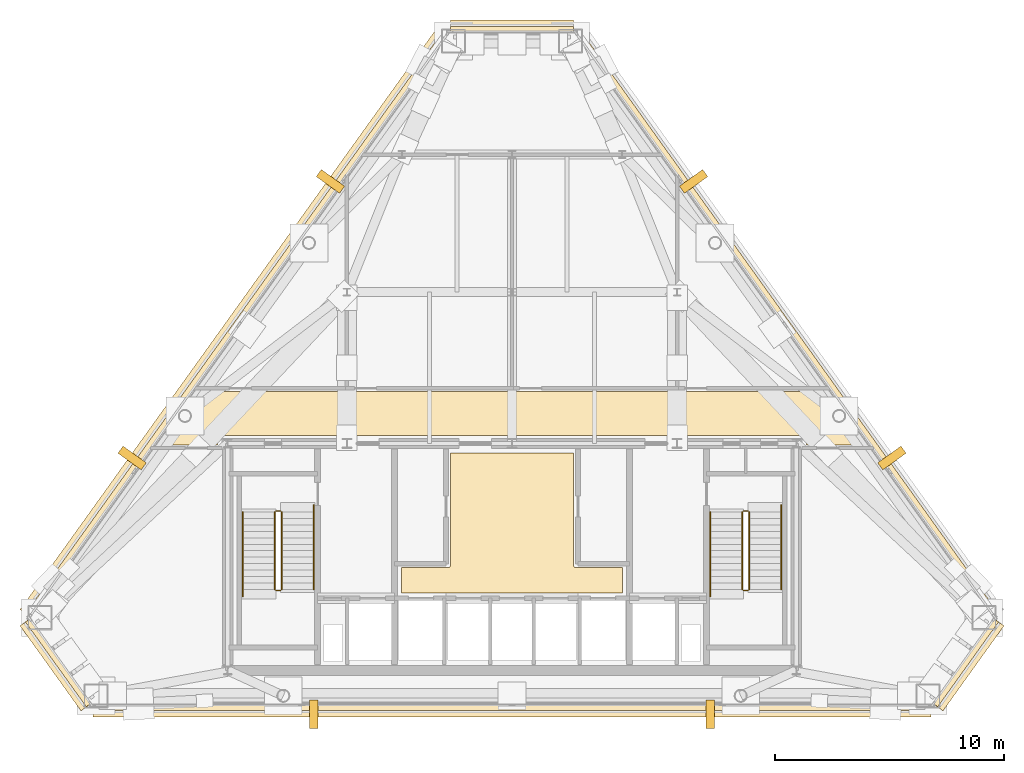
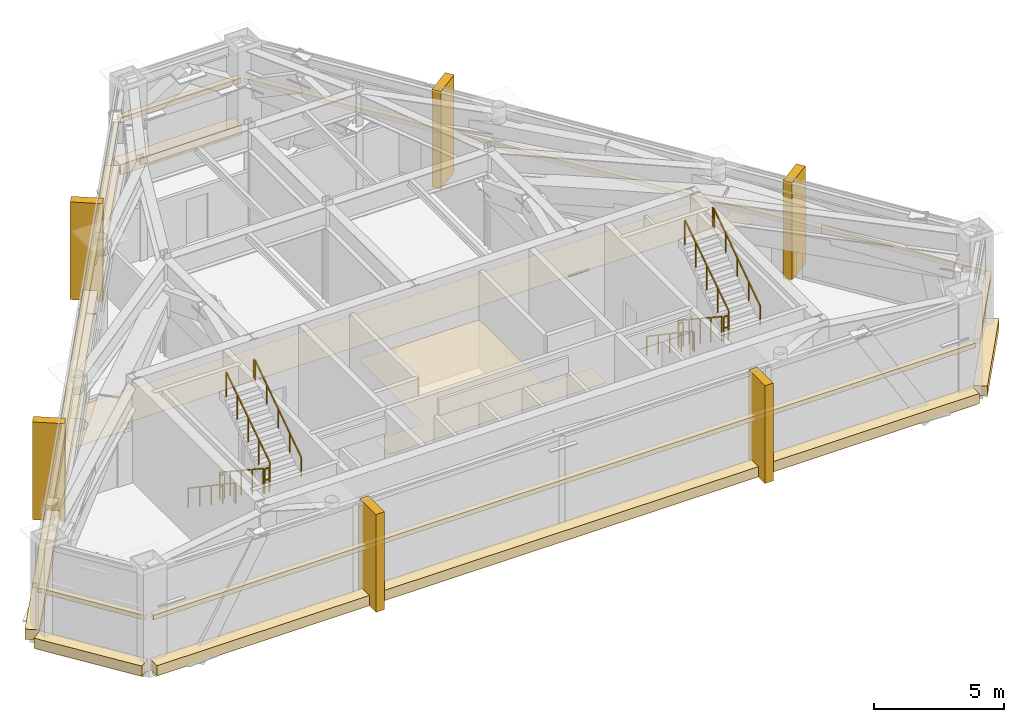
# One storey, part 8 of 9: 19 coverings, 12 railings.
"""IFC4 building model written with IfcOpenShell, lengths in metres."""

from ifc_helpers import new_model, si_unit, direction, frame, origin, origin_2d, place, context, subcontext, project, spatial, polyline, rectangle, outline, extrude, material, layer, layer_set, type_object, element, save


model = new_model("IFC4")

# Units and contexts
model_context = context("Model", 3, precision=1e-05, world=origin(), true_north=direction((0.0, 1.0)))
body_context = subcontext(model_context, "Body", "Model", "MODEL_VIEW")
ifc_project = project(units=[si_unit("LENGTHUNIT", "METRE"), si_unit("AREAUNIT", "SQUARE_METRE"), si_unit("VOLUMEUNIT", "CUBIC_METRE"), si_unit("PLANEANGLEUNIT", "RADIAN"), si_unit("MASSUNIT", "GRAM", prefix="KILO")], contexts=[model_context])

# Site, building, storey
site_placement = place(None, origin())
site = spatial("IfcSite", under=ifc_project, at=site_placement, CompositionType="ELEMENT")
building_placement = place(site_placement, origin())
building = spatial("IfcBuilding", under=site, at=building_placement, Name="Talgorran Terracotta Tower", CompositionType="ELEMENT")
storey_placement = place(building_placement, frame((0.0, 0.0, 244.199951171875)))
storey = spatial("IfcBuildingStorey", under=building, at=storey_placement, Name="L64", CompositionType="ELEMENT", Elevation=244.199951171875)

# Coverings
ifc_material_1 = material(Name="Kiln-Fired Terracotta Ochre Ceramic", Category="masonry")
ifc_layer_1 = layer(ifc_material_1, 0.179931640625, Name="COV_BAGUETTE_TERRACOTTA_SCREEN")
ifc_layer_set_1 = layer_set([ifc_layer_1], Name="Kiln-Fired Terracotta Ochre Ceramic")
covering_type_1 = type_object("IfcCoveringType", Name="COV_BAGUETTE_TERRACOTTA_SCREEN", PredefinedType="CLADDING", material=ifc_layer_set_1)
covering_1_placement = place(storey_placement, frame((-19.7880859375, -13.76318359375, 2.41015625), z_axis=(0.0, 0.0, 1.0), x_axis=(0.582662110936, -0.812714503673, 0.0)))
element("IfcCovering", 1, at=covering_1_placement, inside=storey, type_object=covering_type_1, Name="L64 Terracotta Baguette Solar Screen Assembly F0", PredefinedType="CLADDING", context=body_context, shape_type="SweptSolid", body=[
    extrude(rectangle(XDim=4.542724609375, YDim=0.260009765625, at=origin_2d()), origin(), (0.0, 0.0, 1.0), 0.219970703125),
])
covering_2_placement = place(storey_placement, frame((0.0, -15.707763671875, 2.41015625), z_axis=(0.0, 0.0, 1.0), x_axis=(1.0, 0.0, 0.0)))
element("IfcCovering", 2, at=covering_2_placement, inside=storey, type_object=covering_type_1, Name="L64 Terracotta Baguette Solar Screen Assembly F1", PredefinedType="CLADDING", context=body_context, shape_type="SweptSolid", body=[
    extrude(rectangle(XDim=36.545166015625, YDim=0.260009765625, at=origin_2d()), origin(), (0.0, 0.0, 1.0), 0.219970703125),
])
covering_3_placement = place(storey_placement, frame((19.7880859375, -13.76318359375, 2.41015625), z_axis=(0.0, 0.0, 1.0), x_axis=(0.582662110936, 0.812714503673, 0.0)))
element("IfcCovering", 3, at=covering_3_placement, inside=storey, type_object=covering_type_1, Name="L64 Terracotta Baguette Solar Screen Assembly F2", PredefinedType="CLADDING", context=body_context, shape_type="SweptSolid", body=[
    extrude(rectangle(XDim=4.542724609375, YDim=0.260009765625, at=origin_2d()), origin(), (0.0, 0.0, 1.0), 0.219970703125),
])
covering_4_placement = place(storey_placement, frame((11.993408203125, 1.031494140625, 2.41015625), z_axis=(0.0, 0.0, 1.0), x_axis=(-0.582662110936, 0.812714503673, 0.0)))
element("IfcCovering", 4, at=covering_4_placement, inside=storey, type_object=covering_type_1, Name="L64 Terracotta Baguette Solar Screen Assembly F3", PredefinedType="CLADDING", context=body_context, shape_type="SweptSolid", body=[
    extrude(rectangle(XDim=31.298583984375, YDim=0.260009765625, at=origin_2d()), origin(), (0.0, 0.0, 1.0), 0.219970703125),
])
covering_5_placement = place(storey_placement, frame((0.0, 13.8486328125, 2.41015625), z_axis=(0.0, 0.0, 1.0), x_axis=(-1.0, 0.0, 0.0)))
element("IfcCovering", 5, at=covering_5_placement, inside=storey, type_object=covering_type_1, Name="L64 Terracotta Baguette Solar Screen Assembly F4", PredefinedType="CLADDING", context=body_context, shape_type="SweptSolid", body=[
    extrude(rectangle(XDim=5.36572265625, YDim=0.260009765625, at=origin_2d()), origin(), (0.0, 0.0, 1.0), 0.219970703125),
])
covering_6_placement = place(storey_placement, frame((-11.993408203125, 1.031494140625, 2.41015625), z_axis=(0.0, 0.0, 1.0), x_axis=(-0.582662110936, -0.812714503673, 0.0)))
element("IfcCovering", 6, at=covering_6_placement, inside=storey, type_object=covering_type_1, Name="L64 Terracotta Baguette Solar Screen Assembly F5", PredefinedType="CLADDING", context=body_context, shape_type="SweptSolid", body=[
    extrude(rectangle(XDim=31.298583984375, YDim=0.260009765625, at=origin_2d()), origin(), (0.0, 0.0, 1.0), 0.219970703125),
])
ifc_material_2 = material(Name="Mineral Fibre Acoustic Tile")
ifc_layer_2 = layer(ifc_material_2, 0.02490234375, Name="COV_CEIL_ACOUSTIC")
ifc_layer_set_2 = layer_set([ifc_layer_2], Name="Mineral Fibre Acoustic Tile")
covering_type_2 = type_object("IfcCoveringType", Name="COV_CEIL_ACOUSTIC", PredefinedType="CEILING", material=ifc_layer_set_2)
covering_7_placement = place(storey_placement, frame((0.0, 0.0, 2.380126953125)))
element("IfcCovering", 7, at=covering_7_placement, inside=storey, type_object=covering_type_2, Name="CEIL-L64-2", PredefinedType="CEILING", context=body_context, shape_type="SweptSolid", body=[
    extrude(outline(polyline([(-14.681396484375, -3.069580078125), (-14.66748046875, -3.139404296875), (-14.66455078125, -3.15087890625), (-14.66064453125, -3.161865234375), (-14.655517578125, -3.172607421875), (-14.649658203125, -3.1826171875), (-14.58349609375, -3.281494140625), (-14.576416015625, -3.291015625), (-14.568603515625, -3.2998046875), (-14.559814453125, -3.307861328125), (-14.55029296875, -3.314697265625), (-14.451416015625, -3.380859375), (-14.441162109375, -3.386962890625), (-14.4306640625, -3.39208984375), (-14.41943359375, -3.39599609375), (-14.408203125, -3.398681640625), (-14.29150390625, -3.422119140625), (-14.27978515625, -3.423583984375), (-14.26806640625, -3.42431640625), (-14.256103515625, -3.423583984375), (-14.24462890625, -3.422119140625), (-14.1279296875, -3.398681640625), (-14.116455078125, -3.39599609375), (-14.10546875, -3.39208984375), (-14.0947265625, -3.386962890625), (-14.084716796875, -3.380859375), (-13.985595703125, -3.314697265625), (-13.976318359375, -3.307861328125), (-13.96728515625, -3.2998046875), (-13.95947265625, -3.291015625), (-13.952392578125, -3.281494140625), (-13.886474609375, -3.1826171875), (-13.88037109375, -3.172607421875), (-13.875244140625, -3.161865234375), (-13.871337890625, -3.15087890625), (-13.868408203125, -3.139404296875), (-13.84521484375, -3.022705078125), (-13.843505859375, -3.010986328125), (-13.843017578125, -2.999267578125), (-13.843505859375, -2.987548828125), (-13.84521484375, -2.975830078125), (-13.868408203125, -2.859130859375), (-13.871337890625, -2.847900390625), (-13.875244140625, -2.836669921875), (-13.88037109375, -2.826171875), (-13.886474609375, -2.81591796875), (-13.952392578125, -2.717041015625), (-13.95947265625, -2.70751953125), (-13.96728515625, -2.69873046875), (-13.976318359375, -2.69091796875), (-13.985595703125, -2.683837890625), (-14.084716796875, -2.61767578125), (-14.0947265625, -2.611572265625), (-14.10546875, -2.606689453125), (-14.116455078125, -2.6025390625), (-14.1279296875, -2.599853515625), (-14.16748046875, -2.591796875), (-14.28076171875, -2.5107421875), (-13.867919921875, -1.93505859375), (13.867919921875, -1.93505859375), (14.28076171875, -2.5107421875), (14.16748046875, -2.591796875), (14.1279296875, -2.599853515625), (14.116455078125, -2.6025390625), (14.10546875, -2.606689453125), (14.0947265625, -2.611572265625), (14.084716796875, -2.61767578125), (13.985595703125, -2.683837890625), (13.976318359375, -2.69091796875), (13.96728515625, -2.69873046875), (13.95947265625, -2.70751953125), (13.952392578125, -2.717041015625), (13.886474609375, -2.81591796875), (13.88037109375, -2.826171875), (13.875244140625, -2.836669921875), (13.871337890625, -2.847900390625), (13.868408203125, -2.859130859375), (13.84521484375, -2.975830078125), (13.843505859375, -2.987548828125), (13.843017578125, -2.999267578125), (13.843505859375, -3.010986328125), (13.84521484375, -3.022705078125), (13.868408203125, -3.139404296875), (13.871337890625, -3.15087890625), (13.875244140625, -3.161865234375), (13.88037109375, -3.172607421875), (13.886474609375, -3.1826171875), (13.952392578125, -3.281494140625), (13.95947265625, -3.291015625), (13.96728515625, -3.2998046875), (13.976318359375, -3.307861328125), (13.985595703125, -3.314697265625), (14.084716796875, -3.380859375), (14.0947265625, -3.386962890625), (14.10546875, -3.39208984375), (14.116455078125, -3.39599609375), (14.1279296875, -3.398681640625), (14.24462890625, -3.422119140625), (14.256103515625, -3.423583984375), (14.26806640625, -3.42431640625), (14.27978515625, -3.423583984375), (14.29150390625, -3.422119140625), (14.408203125, -3.398681640625), (14.41943359375, -3.39599609375), (14.4306640625, -3.39208984375), (14.441162109375, -3.386962890625), (14.451416015625, -3.380859375), (14.55029296875, -3.314697265625), (14.559814453125, -3.307861328125), (14.568603515625, -3.2998046875), (14.576416015625, -3.291015625), (14.58349609375, -3.281494140625), (14.649658203125, -3.1826171875), (14.655517578125, -3.172607421875), (14.66064453125, -3.161865234375), (14.66455078125, -3.15087890625), (14.66748046875, -3.139404296875), (14.681396484375, -3.069580078125), (15.06494140625, -3.604736328125), (15.06494140625, -4.264892578125), (12.8349609375, -4.264892578125), (12.8349609375, -3.97998046875), (12.83447265625, -3.96826171875), (12.832763671875, -3.956787109375), (12.829833984375, -3.9453125), (12.827392578125, -3.93701171875), (12.823486328125, -3.926025390625), (12.818359375, -3.915283203125), (12.8125, -3.9052734375), (12.805419921875, -3.895751953125), (12.797607421875, -3.886962890625), (12.788818359375, -3.879150390625), (12.781982421875, -3.87353515625), (12.7724609375, -3.866455078125), (12.762451171875, -3.8603515625), (12.751708984375, -3.855224609375), (12.740478515625, -3.851318359375), (12.729248046875, -3.848388671875), (12.717529296875, -3.8466796875), (12.705810546875, -3.84619140625), (7.432861328125, -3.844970703125), (6.968017578125, -3.843017578125), (6.967529296875, -3.843017578125), (0.232666015625, -3.844970703125), (-0.23193359375, -3.843017578125), (-0.232421875, -3.843017578125), (-6.96728515625, -3.844970703125), (-7.431884765625, -3.843017578125), (-7.4326171875, -3.843017578125), (-12.699951171875, -3.844970703125), (-12.711669921875, -3.845703125), (-12.723388671875, -3.847412109375), (-12.734619140625, -3.85009765625), (-12.742919921875, -3.8525390625), (-12.75390625, -3.8564453125), (-12.7646484375, -3.861572265625), (-12.77490234375, -3.86767578125), (-12.7841796875, -3.87451171875), (-12.79296875, -3.882568359375), (-12.80078125, -3.89111328125), (-12.806396484375, -3.89794921875), (-12.813720703125, -3.907470703125), (-12.819580078125, -3.91748046875), (-12.82470703125, -3.927978515625), (-12.82861328125, -3.939208984375), (-12.83154296875, -3.95068359375), (-12.833251953125, -3.962158203125), (-12.833984375, -3.97412109375), (-12.834716796875, -4.264892578125), (-15.06494140625, -4.264892578125), (-15.06494140625, -3.604736328125), (-14.681396484375, -3.069580078125)])), origin(), (0.0, 0.0, 1.0), 0.02001953125),
])
ifc_material_3 = material(Name="Flush Moisture-Resistant Plaster")
ifc_layer_3 = layer(ifc_material_3, 0.01806640625, Name="COV_CEIL_PLASTER")
ifc_layer_set_3 = layer_set([ifc_layer_3], Name="Flush Moisture-Resistant Plaster")
covering_type_3 = type_object("IfcCoveringType", Name="COV_CEIL_PLASTER", PredefinedType="CEILING", material=ifc_layer_set_3)
covering_8_placement = place(storey_placement, frame((0.0, 0.0, 2.380126953125)))
element("IfcCovering", 8, at=covering_8_placement, inside=storey, type_object=covering_type_3, Name="CEIL-L64-1", PredefinedType="CEILING", context=body_context, shape_type="SweptSolid", body=[
    extrude(outline(polyline([(-4.830078125, -9.6201171875), (-2.800048828125, -9.6201171875), (-2.7880859375, -9.619384765625), (-2.776611328125, -9.61767578125), (-2.76513671875, -9.61474609375), (-2.754150390625, -9.61083984375), (-2.743408203125, -9.605712890625), (-2.7333984375, -9.599853515625), (-2.723876953125, -9.5927734375), (-2.715087890625, -9.5849609375), (-2.707275390625, -9.576171875), (-2.7001953125, -9.566650390625), (-2.694091796875, -9.556640625), (-2.689208984375, -9.5458984375), (-2.685302734375, -9.534912109375), (-2.682373046875, -9.5234375), (-2.6806640625, -9.51171875), (-2.679931640625, -9.5), (-2.679931640625, -4.6201171875), (2.679931640625, -4.6201171875), (2.679931640625, -9.5), (2.6806640625, -9.51171875), (2.682373046875, -9.5234375), (2.685302734375, -9.534912109375), (2.689208984375, -9.5458984375), (2.694091796875, -9.556640625), (2.7001953125, -9.566650390625), (2.707275390625, -9.576171875), (2.715087890625, -9.5849609375), (2.723876953125, -9.5927734375), (2.7333984375, -9.599853515625), (2.743408203125, -9.605712890625), (2.754150390625, -9.61083984375), (2.76513671875, -9.61474609375), (2.776611328125, -9.61767578125), (2.7880859375, -9.619384765625), (2.800048828125, -9.6201171875), (4.830078125, -9.6201171875), (4.830078125, -10.72998046875), (-4.830078125, -10.72998046875), (-4.830078125, -9.6201171875)])), origin(), (0.0, 0.0, 1.0), 0.02001953125),
])
ifc_material_4 = material(Name="Honed Limestone Cladding", Category="masonry")
ifc_layer_4 = layer(ifc_material_4, 0.094970703125, Name="COV_PORTAL_LIME")
ifc_layer_set_4 = layer_set([ifc_layer_4], Name="Honed Limestone Cladding")
covering_type_4 = type_object("IfcCoveringType", Name="COV_PORTAL_LIME", PredefinedType="CLADDING", material=ifc_layer_set_4)
covering_9_placement = place(storey_placement, frame((-19.90185546875, -13.8447265625, -0.0400390625), z_axis=(0.0, 0.0, 1.0), x_axis=(0.582662110936, -0.812714503673, 0.0)))
element("IfcCovering", 9, at=covering_9_placement, inside=storey, type_object=covering_type_4, Name="L64 Striped Postmodern Portal Cladding Band F0", PredefinedType="CLADDING", context=body_context, shape_type="SweptSolid", body=[
    extrude(rectangle(XDim=4.562744140625, YDim=0.56005859375, at=origin_2d()), origin(), (0.0, 0.0, 1.0), 0.47998046875),
])
covering_10_placement = place(storey_placement, frame((0.0, -15.847900390625, -0.0400390625), z_axis=(0.0, 0.0, 1.0), x_axis=(1.0, 0.0, 0.0)))
element("IfcCovering", 10, at=covering_10_placement, inside=storey, type_object=covering_type_4, Name="L64 Striped Postmodern Portal Cladding Band F1", PredefinedType="CLADDING", context=body_context, shape_type="SweptSolid", body=[
    extrude(rectangle(XDim=36.565185546875, YDim=0.56005859375, at=origin_2d()), origin(), (0.0, 0.0, 1.0), 0.47998046875),
])
covering_11_placement = place(storey_placement, frame((19.90185546875, -13.8447265625, -0.0400390625), z_axis=(0.0, 0.0, 1.0), x_axis=(0.582662110936, 0.812714503673, 0.0)))
element("IfcCovering", 11, at=covering_11_placement, inside=storey, type_object=covering_type_4, Name="L64 Striped Postmodern Portal Cladding Band F2", PredefinedType="CLADDING", context=body_context, shape_type="SweptSolid", body=[
    extrude(rectangle(XDim=4.562744140625, YDim=0.56005859375, at=origin_2d()), origin(), (0.0, 0.0, 1.0), 0.47998046875),
])
covering_12_placement = place(storey_placement, frame((0.0, 13.988525390625, -0.0400390625), z_axis=(0.0, 0.0, 1.0), x_axis=(-1.0, 0.0, 0.0)))
element("IfcCovering", 12, at=covering_12_placement, inside=storey, type_object=covering_type_4, Name="L64 Striped Postmodern Portal Cladding Band F4", PredefinedType="CLADDING", context=body_context, shape_type="SweptSolid", body=[
    extrude(rectangle(XDim=5.3857421875, YDim=0.56005859375, at=origin_2d()), origin(), (0.0, 0.0, 1.0), 0.47998046875),
])
covering_13_placement = place(storey_placement, frame((-12.107177734375, 1.113037109375, -0.0400390625), z_axis=(0.0, 0.0, 1.0), x_axis=(-0.582662110936, -0.812714503673, 0.0)))
element("IfcCovering", 13, at=covering_13_placement, inside=storey, type_object=covering_type_4, Name="L64 Striped Postmodern Portal Cladding Band F5", PredefinedType="CLADDING", context=body_context, shape_type="SweptSolid", body=[
    extrude(rectangle(XDim=31.318603515625, YDim=0.56005859375, at=origin_2d()), origin(), (0.0, 0.0, 1.0), 0.47998046875),
])
for number, where, z_axis, x_axis, name in (
    (14, (8.64990234375, -16.0078125, -0.0498046875), (0.0, 0.0, 1.0), (1.0, 0.0, 0.0), "L64 White Striped Portal Fin F1-2"),
    (15, (7.919189453125, 7.22900390625, -0.0498046875), (0.0, 0.0, 1.0), (-0.582662110936, 0.812714503673, 0.0), "L64 White Striped Portal Fin F3-2"),
    (16, (-16.569091796875, -4.836181640625, -0.0498046875), (0.0, 0.0, 1.0), (-0.582662110936, -0.812714503673, 0.0), "L64 White Striped Portal Fin F5-2"),
):
    element("IfcCovering", number, at=place(storey_placement, frame(where, z_axis=z_axis, x_axis=x_axis)), inside=storey, type_object=covering_type_4, Name=name, PredefinedType="CLADDING", context=body_context, shape_type="SweptSolid", body=[
        extrude(rectangle(XDim=0.3798828125, YDim=1.25, at=origin_2d()), origin(), (0.0, 0.0, 1.0), 4.594970703125),
    ])
ifc_material_5 = material(Name="Kiln-Fired Terracotta Cladding", Category="masonry")
ifc_layer_5 = layer(ifc_material_5, 0.090087890625, Name="COV_PORTAL_TERRA")
ifc_layer_set_5 = layer_set([ifc_layer_5], Name="Kiln-Fired Terracotta Cladding")
covering_type_5 = type_object("IfcCoveringType", Name="COV_PORTAL_TERRA", PredefinedType="CLADDING", material=ifc_layer_set_5)
for number, where, z_axis, x_axis, name in (
    (17, (-8.64990234375, -16.0078125, -0.0498046875), (0.0, 0.0, 1.0), (1.0, 0.0, 0.0), "L64 Terracotta Striped Portal Fin F1-1"),
    (18, (16.569091796875, -4.836181640625, -0.0498046875), (0.0, 0.0, 1.0), (-0.582662110936, 0.812714503673, 0.0), "L64 Terracotta Striped Portal Fin F3-1"),
    (19, (-7.919189453125, 7.22900390625, -0.0498046875), (0.0, 0.0, 1.0), (-0.582662110936, -0.812714503673, 0.0), "L64 Terracotta Striped Portal Fin F5-1"),
):
    element("IfcCovering", number, at=place(storey_placement, frame(where, z_axis=z_axis, x_axis=x_axis)), inside=storey, type_object=covering_type_5, Name=name, PredefinedType="CLADDING", context=body_context, shape_type="SweptSolid", body=[
        extrude(rectangle(XDim=0.3798828125, YDim=1.25, at=origin_2d()), origin(), (0.0, 0.0, 1.0), 4.594970703125),
    ])

# Railings
ifc_material_6 = material(Name="Steel S355 (300PLUS)", Category="steel")
railing_type_1 = type_object("IfcRailingType", Name="RL_HANDRAIL_920", PredefinedType="HANDRAIL", material=ifc_material_6)
railing_1_placement = place(storey_placement, frame((-11.75, -7.199951171875, 0.1845703125)))
element("IfcRailing", 20, at=railing_1_placement, inside=storey, type_object=railing_type_1, Name="L64 ST-01 stair handrail 1", PredefinedType="HANDRAIL", context=body_context, shape_type="SweptSolid", body=[
    extrude(rectangle(XDim=0.048095703125, YDim=0.048095703125, at=origin_2d()), frame((0.0, 0.0, 0.89599609375), z_axis=(0.0, -0.827695465973, 0.561177525929), x_axis=(1.0, 0.0, 0.0)), (0.0, 0.0, 1.0), 4.277099609375),
    extrude(rectangle(XDim=0.048095703125, YDim=0.048095703125, at=origin_2d()), frame((0.0, -3.5400390625, 3.2958984375), z_axis=(0.0, -1.0, 0.0), x_axis=(1.0, 0.0, 0.0)), (0.0, 0.0, 1.0), 0.1201171875),
    extrude(rectangle(XDim=0.0419921875, YDim=0.0419921875, at=origin_2d()), origin(), (0.0, 0.0, 1.0), 0.871826171875),
    extrude(rectangle(XDim=0.0419921875, YDim=0.0419921875, at=origin_2d()), frame((0.0, -0.885009765625, 0.60009765625)), (0.0, 0.0, 1.0), 0.871826171875),
    extrude(rectangle(XDim=0.0419921875, YDim=0.0419921875, at=origin_2d()), frame((0.0, -1.77001953125, 1.2001953125)), (0.0, 0.0, 1.0), 0.871826171875),
    extrude(rectangle(XDim=0.0419921875, YDim=0.0419921875, at=origin_2d()), frame((0.0, -2.655029296875, 1.800048828125)), (0.0, 0.0, 1.0), 0.871826171875),
    extrude(rectangle(XDim=0.0419921875, YDim=0.0419921875, at=origin_2d()), frame((0.0, -3.5400390625, 2.400146484375)), (0.0, 0.0, 1.0), 0.871826171875),
    extrude(rectangle(XDim=0.0419921875, YDim=0.0419921875, at=origin_2d()), frame((0.0, -3.66015625, 2.400146484375)), (0.0, 0.0, 1.0), 0.871826171875),
])
railing_2_placement = place(storey_placement, frame((-8.64990234375, -10.56005859375, 2.584716796875)))
element("IfcRailing", 21, at=railing_2_placement, inside=storey, type_object=railing_type_1, Name="L64 ST-01 stair handrail 2", PredefinedType="HANDRAIL", context=body_context, shape_type="SweptSolid", body=[
    extrude(rectangle(XDim=0.048095703125, YDim=0.048095703125, at=origin_2d()), frame((0.0, 0.0, 0.89599609375), z_axis=(0.0, 0.827721979786, 0.561138418021), x_axis=(-1.0, 0.0, 0.0)), (0.0, 0.0, 1.0), 4.27685546875),
    extrude(rectangle(XDim=0.048095703125, YDim=0.048095703125, at=origin_2d()), frame((0.0, 3.5400390625, 3.2958984375), z_axis=(0.0, 1.0, 0.0), x_axis=(-1.0, 0.0, 0.0)), (0.0, 0.0, 1.0), 0.1201171875),
    extrude(rectangle(XDim=0.0419921875, YDim=0.0419921875, at=origin_2d()), origin(), (0.0, 0.0, 1.0), 0.871826171875),
    extrude(rectangle(XDim=0.0419921875, YDim=0.0419921875, at=origin_2d()), frame((0.0, 0.885009765625, 0.60009765625)), (0.0, 0.0, 1.0), 0.871826171875),
    extrude(rectangle(XDim=0.0419921875, YDim=0.0419921875, at=origin_2d()), frame((0.0, 1.77001953125, 1.199951171875)), (0.0, 0.0, 1.0), 0.871826171875),
    extrude(rectangle(XDim=0.0419921875, YDim=0.0419921875, at=origin_2d()), frame((0.0, 2.655029296875, 1.7998046875)), (0.0, 0.0, 1.0), 0.871826171875),
    extrude(rectangle(XDim=0.0419921875, YDim=0.0419921875, at=origin_2d()), frame((0.0, 3.5400390625, 2.39990234375)), (0.0, 0.0, 1.0), 0.871826171875),
    extrude(rectangle(XDim=0.0419921875, YDim=0.0419921875, at=origin_2d()), frame((0.0, 3.66015625, 2.39990234375)), (0.0, 0.0, 1.0), 0.871826171875),
])
railing_3_placement = place(storey_placement, frame((8.64990234375, -7.199951171875, 0.1845703125)))
element("IfcRailing", 22, at=railing_3_placement, inside=storey, type_object=railing_type_1, Name="L64 ST-02 stair handrail 1", PredefinedType="HANDRAIL", context=body_context, shape_type="SweptSolid", body=[
    extrude(rectangle(XDim=0.048095703125, YDim=0.048095703125, at=origin_2d()), frame((0.0, 0.0, 0.89599609375), z_axis=(0.0, -0.827695465973, 0.561177525929), x_axis=(1.0, 0.0, 0.0)), (0.0, 0.0, 1.0), 4.277099609375),
    extrude(rectangle(XDim=0.048095703125, YDim=0.048095703125, at=origin_2d()), frame((0.0, -3.5400390625, 3.2958984375), z_axis=(0.0, -1.0, 0.0), x_axis=(1.0, 0.0, 0.0)), (0.0, 0.0, 1.0), 0.1201171875),
    extrude(rectangle(XDim=0.0419921875, YDim=0.0419921875, at=origin_2d()), origin(), (0.0, 0.0, 1.0), 0.871826171875),
    extrude(rectangle(XDim=0.0419921875, YDim=0.0419921875, at=origin_2d()), frame((0.0, -0.885009765625, 0.60009765625)), (0.0, 0.0, 1.0), 0.871826171875),
    extrude(rectangle(XDim=0.0419921875, YDim=0.0419921875, at=origin_2d()), frame((0.0, -1.77001953125, 1.2001953125)), (0.0, 0.0, 1.0), 0.871826171875),
    extrude(rectangle(XDim=0.0419921875, YDim=0.0419921875, at=origin_2d()), frame((0.0, -2.655029296875, 1.800048828125)), (0.0, 0.0, 1.0), 0.871826171875),
    extrude(rectangle(XDim=0.0419921875, YDim=0.0419921875, at=origin_2d()), frame((0.0, -3.5400390625, 2.400146484375)), (0.0, 0.0, 1.0), 0.871826171875),
    extrude(rectangle(XDim=0.0419921875, YDim=0.0419921875, at=origin_2d()), frame((0.0, -3.66015625, 2.400146484375)), (0.0, 0.0, 1.0), 0.871826171875),
])
railing_4_placement = place(storey_placement, frame((11.75, -10.56005859375, 2.584716796875)))
element("IfcRailing", 23, at=railing_4_placement, inside=storey, type_object=railing_type_1, Name="L64 ST-02 stair handrail 2", PredefinedType="HANDRAIL", context=body_context, shape_type="SweptSolid", body=[
    extrude(rectangle(XDim=0.048095703125, YDim=0.048095703125, at=origin_2d()), frame((0.0, 0.0, 0.89599609375), z_axis=(0.0, 0.827721979786, 0.561138418021), x_axis=(-1.0, 0.0, 0.0)), (0.0, 0.0, 1.0), 4.27685546875),
    extrude(rectangle(XDim=0.048095703125, YDim=0.048095703125, at=origin_2d()), frame((0.0, 3.5400390625, 3.2958984375), z_axis=(0.0, 1.0, 0.0), x_axis=(-1.0, 0.0, 0.0)), (0.0, 0.0, 1.0), 0.1201171875),
    extrude(rectangle(XDim=0.0419921875, YDim=0.0419921875, at=origin_2d()), origin(), (0.0, 0.0, 1.0), 0.871826171875),
    extrude(rectangle(XDim=0.0419921875, YDim=0.0419921875, at=origin_2d()), frame((0.0, 0.885009765625, 0.60009765625)), (0.0, 0.0, 1.0), 0.871826171875),
    extrude(rectangle(XDim=0.0419921875, YDim=0.0419921875, at=origin_2d()), frame((0.0, 1.77001953125, 1.199951171875)), (0.0, 0.0, 1.0), 0.871826171875),
    extrude(rectangle(XDim=0.0419921875, YDim=0.0419921875, at=origin_2d()), frame((0.0, 2.655029296875, 1.7998046875)), (0.0, 0.0, 1.0), 0.871826171875),
    extrude(rectangle(XDim=0.0419921875, YDim=0.0419921875, at=origin_2d()), frame((0.0, 3.5400390625, 2.39990234375)), (0.0, 0.0, 1.0), 0.871826171875),
    extrude(rectangle(XDim=0.0419921875, YDim=0.0419921875, at=origin_2d()), frame((0.0, 3.66015625, 2.39990234375)), (0.0, 0.0, 1.0), 0.871826171875),
])
railing_type_2 = type_object("IfcRailingType", Name="RL_STAIR_GUARD", PredefinedType="GUARDRAIL", material=ifc_material_6)
railing_5_placement = place(storey_placement, frame((-10.35009765625, -7.199951171875, 0.1845703125)))
element("IfcRailing", 24, at=railing_5_placement, inside=storey, type_object=railing_type_2, Name="L64 ST-01 stair guard 1", PredefinedType="GUARDRAIL", context=body_context, shape_type="SweptSolid", body=[
    extrude(rectangle(XDim=0.048095703125, YDim=0.048095703125, at=origin_2d()), frame((0.0, 0.0, 1.15576171875), z_axis=(0.0, -0.834848600103, 0.550479622607), x_axis=(1.0, 0.0, 0.0)), (0.0, 0.0, 1.0), 4.02490234375),
    extrude(rectangle(XDim=0.0419921875, YDim=0.0419921875, at=origin_2d()), origin(), (0.0, 0.0, 1.0), 1.1318359375),
    extrude(rectangle(XDim=0.0419921875, YDim=0.0419921875, at=origin_2d()), frame((0.0, -0.840087890625, 0.553955078125)), (0.0, 0.0, 1.0), 1.1318359375),
    extrude(rectangle(XDim=0.0419921875, YDim=0.0419921875, at=origin_2d()), frame((0.0, -1.68017578125, 1.10791015625)), (0.0, 0.0, 1.0), 1.1318359375),
    extrude(rectangle(XDim=0.0419921875, YDim=0.0419921875, at=origin_2d()), frame((0.0, -2.52001953125, 1.66162109375)), (0.0, 0.0, 1.0), 1.1318359375),
    extrude(rectangle(XDim=0.0419921875, YDim=0.0419921875, at=origin_2d()), frame((0.0, -3.360107421875, 2.215576171875)), (0.0, 0.0, 1.0), 1.1318359375),
])
railing_6_placement = place(storey_placement, frame((-10.300048828125, -10.610107421875, 2.400146484375)))
element("IfcRailing", 25, at=railing_6_placement, inside=storey, type_object=railing_type_2, Name="L64 ST-01 stair guard 2", PredefinedType="GUARDRAIL", context=body_context, shape_type="SweptSolid", body=[
    extrude(rectangle(XDim=0.048095703125, YDim=0.048095703125, at=origin_2d()), frame((0.0, 0.0, 1.15576171875), z_axis=(1.0, 0.0, 0.0), x_axis=(0.0, 1.0, 0.0)), (0.0, 0.0, 1.0), 0.199951171875),
    extrude(rectangle(XDim=0.048095703125, YDim=0.048095703125, at=origin_2d()), frame((0.0, 0.0, 0.613525390625), z_axis=(1.0, 0.0, 0.0), x_axis=(0.0, 1.0, 0.0)), (0.0, 0.0, 1.0), 0.199951171875),
    extrude(rectangle(XDim=0.0419921875, YDim=0.0419921875, at=origin_2d()), origin(), (0.0, 0.0, 1.0), 1.1318359375),
    extrude(rectangle(XDim=0.0419921875, YDim=0.0419921875, at=origin_2d()), frame((0.199951171875, 0.0, 0.0)), (0.0, 0.0, 1.0), 1.1318359375),
])
railing_7_placement = place(storey_placement, frame((-10.050048828125, -10.56005859375, 2.584716796875)))
element("IfcRailing", 26, at=railing_7_placement, inside=storey, type_object=railing_type_2, Name="L64 ST-01 stair guard 3", PredefinedType="GUARDRAIL", context=body_context, shape_type="SweptSolid", body=[
    extrude(rectangle(XDim=0.048095703125, YDim=0.048095703125, at=origin_2d()), frame((0.0, 0.0, 1.15576171875), z_axis=(0.0, 0.834876476806, 0.550437342915), x_axis=(-1.0, 0.0, 0.0)), (0.0, 0.0, 1.0), 4.024658203125),
    extrude(rectangle(XDim=0.0419921875, YDim=0.0419921875, at=origin_2d()), origin(), (0.0, 0.0, 1.0), 1.1318359375),
    extrude(rectangle(XDim=0.0419921875, YDim=0.0419921875, at=origin_2d()), frame((0.0, 0.840087890625, 0.5537109375)), (0.0, 0.0, 1.0), 1.1318359375),
    extrude(rectangle(XDim=0.0419921875, YDim=0.0419921875, at=origin_2d()), frame((0.0, 1.68017578125, 1.107666015625)), (0.0, 0.0, 1.0), 1.1318359375),
    extrude(rectangle(XDim=0.0419921875, YDim=0.0419921875, at=origin_2d()), frame((0.0, 2.52001953125, 1.66162109375)), (0.0, 0.0, 1.0), 1.1318359375),
    extrude(rectangle(XDim=0.0419921875, YDim=0.0419921875, at=origin_2d()), frame((0.0, 3.360107421875, 2.21533203125)), (0.0, 0.0, 1.0), 1.1318359375),
])
railing_8_placement = place(storey_placement, frame((-10.300048828125, -7.14990234375, 0.0)))
element("IfcRailing", 27, at=railing_8_placement, inside=storey, type_object=railing_type_2, Name="L64 ST-01 stair guard 4", PredefinedType="GUARDRAIL", context=body_context, shape_type="SweptSolid", body=[
    extrude(rectangle(XDim=0.048095703125, YDim=0.048095703125, at=origin_2d()), frame((0.0, 0.0, 1.15576171875), z_axis=(1.0, 0.0, 0.0), x_axis=(0.0, 1.0, 0.0)), (0.0, 0.0, 1.0), 0.199951171875),
    extrude(rectangle(XDim=0.048095703125, YDim=0.048095703125, at=origin_2d()), frame((0.0, 0.0, 0.613525390625), z_axis=(1.0, 0.0, 0.0), x_axis=(0.0, 1.0, 0.0)), (0.0, 0.0, 1.0), 0.199951171875),
    extrude(rectangle(XDim=0.0419921875, YDim=0.0419921875, at=origin_2d()), origin(), (0.0, 0.0, 1.0), 1.1318359375),
    extrude(rectangle(XDim=0.0419921875, YDim=0.0419921875, at=origin_2d()), frame((0.199951171875, 0.0, 0.0)), (0.0, 0.0, 1.0), 1.1318359375),
])
railing_9_placement = place(storey_placement, frame((10.050048828125, -7.199951171875, 0.1845703125)))
element("IfcRailing", 28, at=railing_9_placement, inside=storey, type_object=railing_type_2, Name="L64 ST-02 stair guard 1", PredefinedType="GUARDRAIL", context=body_context, shape_type="SweptSolid", body=[
    extrude(rectangle(XDim=0.048095703125, YDim=0.048095703125, at=origin_2d()), frame((0.0, 0.0, 1.15576171875), z_axis=(0.0, -0.834848600103, 0.550479622607), x_axis=(1.0, 0.0, 0.0)), (0.0, 0.0, 1.0), 4.02490234375),
    extrude(rectangle(XDim=0.0419921875, YDim=0.0419921875, at=origin_2d()), origin(), (0.0, 0.0, 1.0), 1.1318359375),
    extrude(rectangle(XDim=0.0419921875, YDim=0.0419921875, at=origin_2d()), frame((0.0, -0.840087890625, 0.553955078125)), (0.0, 0.0, 1.0), 1.1318359375),
    extrude(rectangle(XDim=0.0419921875, YDim=0.0419921875, at=origin_2d()), frame((0.0, -1.68017578125, 1.10791015625)), (0.0, 0.0, 1.0), 1.1318359375),
    extrude(rectangle(XDim=0.0419921875, YDim=0.0419921875, at=origin_2d()), frame((0.0, -2.52001953125, 1.66162109375)), (0.0, 0.0, 1.0), 1.1318359375),
    extrude(rectangle(XDim=0.0419921875, YDim=0.0419921875, at=origin_2d()), frame((0.0, -3.360107421875, 2.215576171875)), (0.0, 0.0, 1.0), 1.1318359375),
])
railing_10_placement = place(storey_placement, frame((10.10009765625, -10.610107421875, 2.400146484375)))
element("IfcRailing", 29, at=railing_10_placement, inside=storey, type_object=railing_type_2, Name="L64 ST-02 stair guard 2", PredefinedType="GUARDRAIL", context=body_context, shape_type="SweptSolid", body=[
    extrude(rectangle(XDim=0.048095703125, YDim=0.048095703125, at=origin_2d()), frame((0.0, 0.0, 1.15576171875), z_axis=(1.0, 0.0, 0.0), x_axis=(0.0, 1.0, 0.0)), (0.0, 0.0, 1.0), 0.199951171875),
    extrude(rectangle(XDim=0.048095703125, YDim=0.048095703125, at=origin_2d()), frame((0.0, 0.0, 0.613525390625), z_axis=(1.0, 0.0, 0.0), x_axis=(0.0, 1.0, 0.0)), (0.0, 0.0, 1.0), 0.199951171875),
    extrude(rectangle(XDim=0.0419921875, YDim=0.0419921875, at=origin_2d()), origin(), (0.0, 0.0, 1.0), 1.1318359375),
    extrude(rectangle(XDim=0.0419921875, YDim=0.0419921875, at=origin_2d()), frame((0.199951171875, 0.0, 0.0)), (0.0, 0.0, 1.0), 1.1318359375),
])
railing_11_placement = place(storey_placement, frame((10.35009765625, -10.56005859375, 2.584716796875)))
element("IfcRailing", 30, at=railing_11_placement, inside=storey, type_object=railing_type_2, Name="L64 ST-02 stair guard 3", PredefinedType="GUARDRAIL", context=body_context, shape_type="SweptSolid", body=[
    extrude(rectangle(XDim=0.048095703125, YDim=0.048095703125, at=origin_2d()), frame((0.0, 0.0, 1.15576171875), z_axis=(0.0, 0.834876476806, 0.550437342915), x_axis=(-1.0, 0.0, 0.0)), (0.0, 0.0, 1.0), 4.024658203125),
    extrude(rectangle(XDim=0.0419921875, YDim=0.0419921875, at=origin_2d()), origin(), (0.0, 0.0, 1.0), 1.1318359375),
    extrude(rectangle(XDim=0.0419921875, YDim=0.0419921875, at=origin_2d()), frame((0.0, 0.840087890625, 0.5537109375)), (0.0, 0.0, 1.0), 1.1318359375),
    extrude(rectangle(XDim=0.0419921875, YDim=0.0419921875, at=origin_2d()), frame((0.0, 1.68017578125, 1.107666015625)), (0.0, 0.0, 1.0), 1.1318359375),
    extrude(rectangle(XDim=0.0419921875, YDim=0.0419921875, at=origin_2d()), frame((0.0, 2.52001953125, 1.66162109375)), (0.0, 0.0, 1.0), 1.1318359375),
    extrude(rectangle(XDim=0.0419921875, YDim=0.0419921875, at=origin_2d()), frame((0.0, 3.360107421875, 2.21533203125)), (0.0, 0.0, 1.0), 1.1318359375),
])
railing_12_placement = place(storey_placement, frame((10.10009765625, -7.14990234375, 0.0)))
element("IfcRailing", 31, at=railing_12_placement, inside=storey, type_object=railing_type_2, Name="L64 ST-02 stair guard 4", PredefinedType="GUARDRAIL", context=body_context, shape_type="SweptSolid", body=[
    extrude(rectangle(XDim=0.048095703125, YDim=0.048095703125, at=origin_2d()), frame((0.0, 0.0, 1.15576171875), z_axis=(1.0, 0.0, 0.0), x_axis=(0.0, 1.0, 0.0)), (0.0, 0.0, 1.0), 0.199951171875),
    extrude(rectangle(XDim=0.048095703125, YDim=0.048095703125, at=origin_2d()), frame((0.0, 0.0, 0.613525390625), z_axis=(1.0, 0.0, 0.0), x_axis=(0.0, 1.0, 0.0)), (0.0, 0.0, 1.0), 0.199951171875),
    extrude(rectangle(XDim=0.0419921875, YDim=0.0419921875, at=origin_2d()), origin(), (0.0, 0.0, 1.0), 1.1318359375),
    extrude(rectangle(XDim=0.0419921875, YDim=0.0419921875, at=origin_2d()), frame((0.199951171875, 0.0, 0.0)), (0.0, 0.0, 1.0), 1.1318359375),
])

save(model, "model.ifc")
